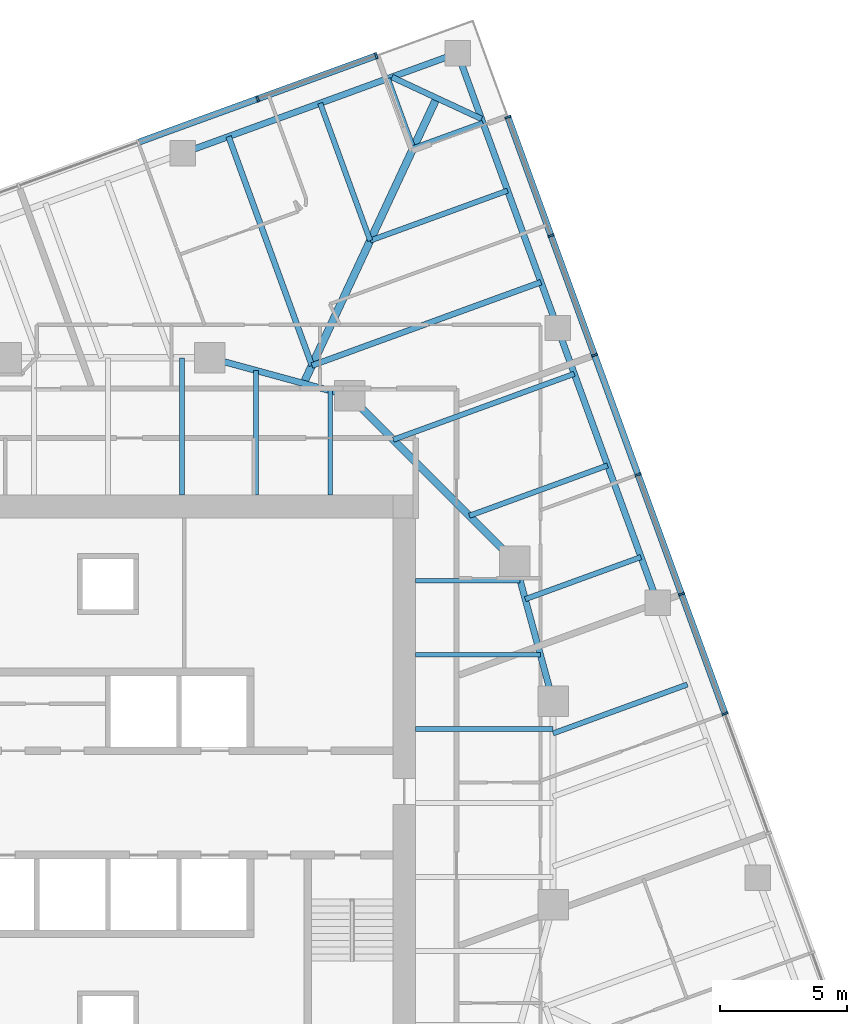
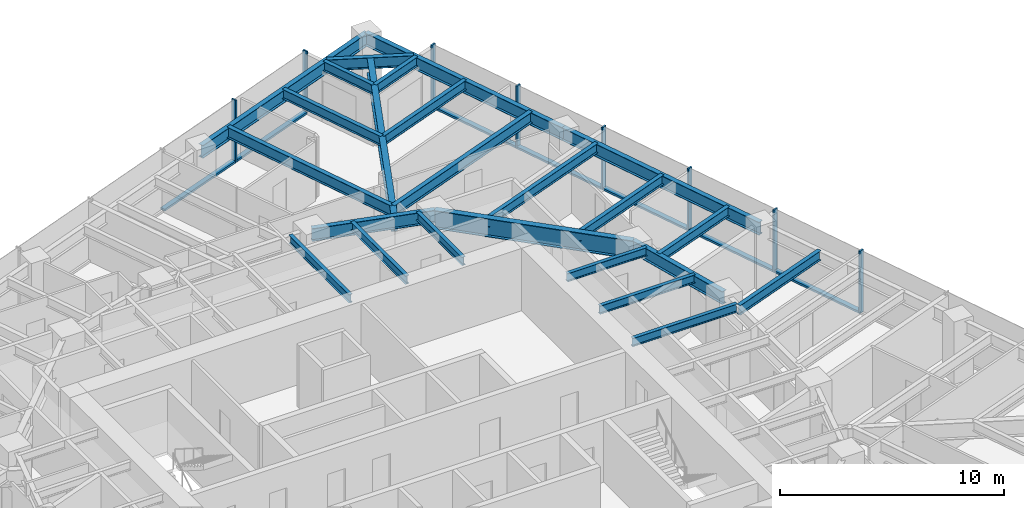
# One storey, part 5 of 13: 24 beams, 15 members, 2 elements without a shape of their own.
"""IFC4 building model written with IfcOpenShell, lengths in metres."""

from ifc_helpers import new_model, si_unit, direction, frame, origin, origin_2d, place, context, subcontext, project, spatial, rectangle, i_section, extrude, material, material_profile, profile_set, type_object, element, aggregate, save


model = new_model("IFC4")

# Units and contexts
model_context = context("Model", 3, precision=1e-05, world=origin(), true_north=direction((0.0, 1.0)))
body_context = subcontext(model_context, "Body", "Model", "MODEL_VIEW")
ifc_project = project(units=[si_unit("LENGTHUNIT", "METRE"), si_unit("AREAUNIT", "SQUARE_METRE"), si_unit("VOLUMEUNIT", "CUBIC_METRE"), si_unit("PLANEANGLEUNIT", "RADIAN"), si_unit("MASSUNIT", "GRAM", prefix="KILO")], contexts=[model_context])

# Site, building, storey
site_placement = place(None, origin())
site = spatial("IfcSite", under=ifc_project, at=site_placement, CompositionType="ELEMENT")
building_placement = place(site_placement, origin())
building = spatial("IfcBuilding", under=site, at=building_placement, Name="Torsade Residences", CompositionType="ELEMENT")
storey_placement = place(building_placement, frame((0.0, 0.0, 150.60009765625)))
storey = spatial("IfcBuildingStorey", under=building, at=storey_placement, Name="L41", CompositionType="ELEMENT", Elevation=150.60009765625)

# Beams
ifc_material_1 = material(Name="Steel grade 300", Category="steel")
ifc_material_profile_1 = material_profile(ifc_material_1, i_section(OverallWidth=0.300048828125, OverallDepth=0.89990234375, WebThickness=0.011962890625, FlangeThickness=0.02490234375, at=origin_2d()), Name="900WB175")
ifc_profile_set_1 = profile_set([ifc_material_profile_1], Name="Steel grade 300")
beam_type_1 = type_object("IfcBeamType", Name="CORNER GIRDER 900WB175", PredefinedType="BEAM", material=ifc_profile_set_1)
beam_1_placement = place(storey_placement, frame((52.924560546875, 57.717041015625, 2.7998046875), z_axis=(-0.422616712682, -0.906308509373, 0.0), x_axis=(0.906308509373, -0.422616712682, 0.0)))
element("IfcBeam", 1, at=beam_1_placement, inside=storey, type_object=beam_type_1, Name="Corner girder 09 L42", PredefinedType="BEAM", context=body_context, shape_type="SweptSolid", body=[
    extrude(i_section(OverallWidth=0.300048828125, OverallDepth=0.89990234375, WebThickness=0.011962890625, FlangeThickness=0.02490234375, at=origin_2d()), origin(), (0.0, 0.0, 1.0), 12.3837890625),
])
ifc_material_2 = material(Name="Steel grade 300", Category="steel")
ifc_material_profile_2 = material_profile(ifc_material_2, i_section(OverallWidth=0.22802734375, OverallDepth=0.60205078125, WebThickness=0.010498046875, FlangeThickness=0.014892578125, FilletRadius=0.013916015625, at=origin_2d()), Name="610UB101")
ifc_profile_set_2 = profile_set([ifc_material_profile_2], Name="Steel grade 300")
beam_type_2 = type_object("IfcBeamType", Name="CORNER TRIMMER 610UB101", PredefinedType="BEAM", material=ifc_profile_set_2)
beam_2_placement = place(storey_placement, frame((51.162353515625, 58.538818359375, 2.948974609375), z_axis=(0.906309798645, -0.422613947806, 0.0), x_axis=(0.422613947806, 0.906309798645, 0.0)))
element("IfcBeam", 2, at=beam_2_placement, inside=storey, type_object=beam_type_2, Name="Corner trimmer 09 L42", PredefinedType="BEAM", context=body_context, shape_type="SweptSolid", body=[
    extrude(i_section(OverallWidth=0.22802734375, OverallDepth=0.60205078125, WebThickness=0.010498046875, FlangeThickness=0.014892578125, FilletRadius=0.013916015625, at=origin_2d()), origin(), (0.0, 0.0, 1.0), 3.888916015625),
])
ifc_material_3 = material(Name="Steel grade 300", Category="steel")
ifc_material_profile_3 = material_profile(ifc_material_3, i_section(OverallWidth=0.25, OverallDepth=0.699951171875, WebThickness=0.010009765625, FlangeThickness=0.02001953125, at=origin_2d()), Name="700WB130")
ifc_profile_set_3 = profile_set([ifc_material_profile_3], Name="Steel grade 300")
beam_type_3 = type_object("IfcBeamType", Name="EDGE BEAM 700WB130", PredefinedType="SPANDREL", material=ifc_profile_set_3)
for number, where, z_axis, x_axis, name in (
    (3, (61.613037109375, 37.866455078125, 2.89990234375), (-0.342031119628, 0.939688625666, 0.0), (-0.939688625666, -0.342031119628, 0.0), "Edge beam 07 L42"),
    (4, (57.6796875, 48.6728515625, 2.89990234375), (-0.342005550448, 0.939697932031, 0.0), (-0.939697932031, -0.342005550448, 0.0), "Edge beam 08 L42"),
):
    element("IfcBeam", number, at=place(storey_placement, frame(where, z_axis=z_axis, x_axis=x_axis)), inside=storey, type_object=beam_type_3, Name=name, PredefinedType="SPANDREL", context=body_context, shape_type="SweptSolid", body=[
        extrude(i_section(OverallWidth=0.25, OverallDepth=0.699951171875, WebThickness=0.010009765625, FlangeThickness=0.02001953125, at=origin_2d()), origin(), (0.0, 0.0, 1.0), 11.5),
    ])
beam_3_placement = place(storey_placement, frame((53.74658203125, 59.4794921875, 2.89990234375), z_axis=(-0.93969110915, -0.342024296483, 0.0), x_axis=(0.342024296483, -0.93969110915, 0.0)))
element("IfcBeam", 5, at=beam_3_placement, inside=storey, type_object=beam_type_3, Name="Edge beam 09 L42", PredefinedType="SPANDREL", context=body_context, shape_type="SweptSolid", body=[
    extrude(i_section(OverallWidth=0.25, OverallDepth=0.699951171875, WebThickness=0.010009765625, FlangeThickness=0.02001953125, at=origin_2d()), origin(), (0.0, 0.0, 1.0), 11.500244140625),
])
ifc_material_4 = material(Name="Steel grade 300", Category="steel")
ifc_material_profile_4 = material_profile(ifc_material_4, i_section(OverallWidth=0.18994140625, OverallDepth=0.4541015625, WebThickness=0.008544921875, FlangeThickness=0.0126953125, FilletRadius=0.011474609375, at=origin_2d()), Name="460UB67.1")
ifc_profile_set_4 = profile_set([ifc_material_profile_4], Name="Steel grade 300")
beam_type_4 = type_object("IfcBeamType", Name="INNER FLOOR BEAM 460UB67.1", PredefinedType="JOIST", material=ifc_profile_set_4)
beam_4_placement = place(storey_placement, frame((42.91259765625, 42.10009765625, 3.02294921875), z_axis=(0.0, 1.0, 0.0), x_axis=(-1.0, 0.0, 0.0)))
element("IfcBeam", 6, at=beam_4_placement, inside=storey, type_object=beam_type_4, Name="Inner floor beam IN05 L42", PredefinedType="JOIST", context=body_context, shape_type="SweptSolid", body=[
    extrude(i_section(OverallWidth=0.18994140625, OverallDepth=0.4541015625, WebThickness=0.008544921875, FlangeThickness=0.0126953125, FilletRadius=0.011474609375, at=origin_2d()), origin(), (0.0, 0.0, 1.0), 5.39990234375),
])
beam_5_placement = place(storey_placement, frame((45.824951171875, 42.10009765625, 3.02294921875), z_axis=(0.0, 1.0, 0.0), x_axis=(-1.0, 0.0, 0.0)))
element("IfcBeam", 7, at=beam_5_placement, inside=storey, type_object=beam_type_4, Name="Inner floor beam IN06 L42", PredefinedType="JOIST", context=body_context, shape_type="SweptSolid", body=[
    extrude(i_section(OverallWidth=0.18994140625, OverallDepth=0.4541015625, WebThickness=0.008544921875, FlangeThickness=0.0126953125, FilletRadius=0.011474609375, at=origin_2d()), origin(), (0.0, 0.0, 1.0), 4.902099609375),
])
beam_6_placement = place(storey_placement, frame((48.737548828125, 42.10009765625, 3.02294921875), z_axis=(0.0, 1.0, 0.0), x_axis=(-1.0, 0.0, 0.0)))
element("IfcBeam", 8, at=beam_6_placement, inside=storey, type_object=beam_type_4, Name="Inner floor beam IN07 L42", PredefinedType="JOIST", context=body_context, shape_type="SweptSolid", body=[
    extrude(i_section(OverallWidth=0.18994140625, OverallDepth=0.4541015625, WebThickness=0.008544921875, FlangeThickness=0.0126953125, FilletRadius=0.011474609375, at=origin_2d()), origin(), (0.0, 0.0, 1.0), 4.10791015625),
])
beam_7_placement = place(storey_placement, frame((52.10009765625, 32.91259765625, 3.02294921875), z_axis=(1.0, 0.0, 0.0), x_axis=(0.0, 1.0, 0.0)))
element("IfcBeam", 9, at=beam_7_placement, inside=storey, type_object=beam_type_4, Name="Inner floor beam IE05 L42", PredefinedType="JOIST", context=body_context, shape_type="SweptSolid", body=[
    extrude(i_section(OverallWidth=0.18994140625, OverallDepth=0.4541015625, WebThickness=0.008544921875, FlangeThickness=0.0126953125, FilletRadius=0.011474609375, at=origin_2d()), origin(), (0.0, 0.0, 1.0), 5.39990234375),
])
beam_8_placement = place(storey_placement, frame((52.10009765625, 35.824951171875, 3.02294921875), z_axis=(1.0, 0.0, 0.0), x_axis=(0.0, 1.0, 0.0)))
element("IfcBeam", 10, at=beam_8_placement, inside=storey, type_object=beam_type_4, Name="Inner floor beam IE06 L42", PredefinedType="JOIST", context=body_context, shape_type="SweptSolid", body=[
    extrude(i_section(OverallWidth=0.18994140625, OverallDepth=0.4541015625, WebThickness=0.008544921875, FlangeThickness=0.0126953125, FilletRadius=0.011474609375, at=origin_2d()), origin(), (0.0, 0.0, 1.0), 4.902099609375),
])
beam_9_placement = place(storey_placement, frame((52.10009765625, 38.737548828125, 3.02294921875), z_axis=(1.0, 0.0, 0.0), x_axis=(0.0, 1.0, 0.0)))
element("IfcBeam", 11, at=beam_9_placement, inside=storey, type_object=beam_type_4, Name="Inner floor beam IE07 L42", PredefinedType="JOIST", context=body_context, shape_type="SweptSolid", body=[
    extrude(i_section(OverallWidth=0.18994140625, OverallDepth=0.4541015625, WebThickness=0.008544921875, FlangeThickness=0.0126953125, FilletRadius=0.011474609375, at=origin_2d()), origin(), (0.0, 0.0, 1.0), 4.10791015625),
])

# Curtain wall, members
ifc_material_5 = material(Name="Aluminium and glass", Category="aluminium")
curtain_wall_type = type_object("IfcCurtainWallType", Name="FRITTED GLASS CURTAIN WALL MID ZONE", PredefinedType="NOTDEFINED", material=ifc_material_5)
curtain_wall_1_placement = place(storey_placement, origin())
curtain_wall_1 = element("IfcCurtainWall", 12, at=curtain_wall_1_placement, inside=storey, type_object=curtain_wall_type, Name="Curtain wall L41 face 4", PredefinedType="NOTDEFINED")
ifc_material_6 = material(Name="Aluminium mullion", Category="aluminium")
ifc_material_profile_5 = material_profile(ifc_material_6, rectangle(XDim=0.25, YDim=0.080078125, at=origin_2d()), Name="MID ZONE CURTAIN WALL MULLION 250x80")
ifc_profile_set_5 = profile_set([ifc_material_profile_5], Name="Aluminium mullion")
member_type_1 = type_object("IfcMemberType", Name="MID ZONE CURTAIN WALL MULLION 250x80", PredefinedType="MULLION", material=ifc_profile_set_5)
member_1_placement = place(storey_placement, frame((64.2626953125, 33.510009765625, 0.0), z_axis=(0.0, 0.0, 1.0), x_axis=(-0.939692619132, -0.342020147869, 0.0)))
member_1 = element("IfcMember", 13, at=member_1_placement, type_object=member_type_1, Name="Mullion 4", PredefinedType="MULLION", context=body_context, shape_type="SweptSolid", body=[
    extrude(rectangle(XDim=0.25, YDim=0.080078125, at=origin_2d()), origin(), (0.0, 0.0, 1.0), 3.39990234375),
])
member_2_placement = place(storey_placement, frame((62.552734375, 38.20849609375, 0.0), z_axis=(0.0, 0.0, 1.0), x_axis=(-0.939692619132, -0.342020147869, 0.0)))
member_2 = element("IfcMember", 14, at=member_2_placement, type_object=member_type_1, Name="Mullion 5", PredefinedType="MULLION", context=body_context, shape_type="SweptSolid", body=[
    extrude(rectangle(XDim=0.25, YDim=0.080078125, at=origin_2d()), origin(), (0.0, 0.0, 1.0), 3.39990234375),
])
member_3_placement = place(storey_placement, frame((60.842529296875, 42.906982421875, 0.0), z_axis=(0.0, 0.0, 1.0), x_axis=(-0.939692619132, -0.342020147869, 0.0)))
member_3 = element("IfcMember", 15, at=member_3_placement, type_object=member_type_1, Name="Mullion 6", PredefinedType="MULLION", context=body_context, shape_type="SweptSolid", body=[
    extrude(rectangle(XDim=0.25, YDim=0.080078125, at=origin_2d()), origin(), (0.0, 0.0, 1.0), 3.39990234375),
])
member_4_placement = place(storey_placement, frame((59.13232421875, 47.60546875, 0.0), z_axis=(0.0, 0.0, 1.0), x_axis=(-0.939692619132, -0.342020147869, 0.0)))
member_4 = element("IfcMember", 16, at=member_4_placement, type_object=member_type_1, Name="Mullion 7", PredefinedType="MULLION", context=body_context, shape_type="SweptSolid", body=[
    extrude(rectangle(XDim=0.25, YDim=0.080078125, at=origin_2d()), origin(), (0.0, 0.0, 1.0), 3.39990234375),
])
member_5_placement = place(storey_placement, frame((57.42236328125, 52.303955078125, 0.0), z_axis=(0.0, 0.0, 1.0), x_axis=(-0.939692619132, -0.342020147869, 0.0)))
member_5 = element("IfcMember", 17, at=member_5_placement, type_object=member_type_1, Name="Mullion 8", PredefinedType="MULLION", context=body_context, shape_type="SweptSolid", body=[
    extrude(rectangle(XDim=0.25, YDim=0.080078125, at=origin_2d()), origin(), (0.0, 0.0, 1.0), 3.39990234375),
])
member_6_placement = place(storey_placement, frame((55.725830078125, 56.96484375, 0.0), z_axis=(0.0, 0.0, 1.0), x_axis=(-0.939692619132, -0.342020147869, 0.0)))
member_6 = element("IfcMember", 18, at=member_6_placement, type_object=member_type_1, Name="Mullion 9", PredefinedType="MULLION", context=body_context, shape_type="SweptSolid", body=[
    extrude(rectangle(XDim=0.25, YDim=0.080078125, at=origin_2d()), origin(), (0.0, 0.0, 1.0), 3.39990234375),
])

curtain_wall_2_placement = place(storey_placement, origin())
curtain_wall_2 = element("IfcCurtainWall", 19, at=curtain_wall_2_placement, inside=storey, type_object=curtain_wall_type, Name="Curtain wall L41 face 7", PredefinedType="NOTDEFINED")
member_7_placement = place(storey_placement, frame((50.5478515625, 59.37939453125, 0.0), z_axis=(0.0, 0.0, 1.0), x_axis=(0.342020147869, -0.939692619132, 0.0)))
member_7 = element("IfcMember", 20, at=member_7_placement, type_object=member_type_1, Name="Mullion 1", PredefinedType="MULLION", context=body_context, shape_type="SweptSolid", body=[
    extrude(rectangle(XDim=0.25, YDim=0.080078125, at=origin_2d()), origin(), (0.0, 0.0, 1.0), 3.39990234375),
])
member_8_placement = place(storey_placement, frame((45.886962890625, 57.682861328125, 0.0), z_axis=(0.0, 0.0, 1.0), x_axis=(0.342020147869, -0.939692619132, 0.0)))
member_8 = element("IfcMember", 21, at=member_8_placement, type_object=member_type_1, Name="Mullion 2", PredefinedType="MULLION", context=body_context, shape_type="SweptSolid", body=[
    extrude(rectangle(XDim=0.25, YDim=0.080078125, at=origin_2d()), origin(), (0.0, 0.0, 1.0), 3.39990234375),
])

# Member
ifc_material_7 = material(Name="Aluminium transom", Category="aluminium")
ifc_material_profile_6 = material_profile(ifc_material_7, rectangle(XDim=0.25, YDim=0.110107421875, at=origin_2d()), Name="MID ZONE CURTAIN WALL TRANSOM 250x110")
ifc_profile_set_6 = profile_set([ifc_material_profile_6], Name="Aluminium transom")
member_type_2 = type_object("IfcMemberType", Name="MID ZONE CURTAIN WALL TRANSOM 250x110", PredefinedType="USERDEFINED", material=ifc_profile_set_6)
member_9_placement = place(storey_placement, frame((64.2490234375, 33.547607421875, 0.054931640625), z_axis=(-0.341998044792, 0.9397006637, 0.0), x_axis=(-0.9397006637, -0.341998044792, 0.0)))
member_9 = element("IfcMember", 22, at=member_9_placement, type_object=member_type_2, Name="Transom 4.1", ObjectType="TRANSOM", PredefinedType="USERDEFINED", context=body_context, shape_type="SweptSolid", body=[
    extrude(rectangle(XDim=0.25, YDim=0.110107421875, at=origin_2d()), origin(), (0.0, 0.0, 1.0), 4.919921875),
])

member_10_placement = place(storey_placement, frame((62.5390625, 38.24609375, 0.054931640625), z_axis=(-0.342041862168, 0.93968471549, 0.0), x_axis=(-0.93968471549, -0.342041862168, 0.0)))
member_10 = element("IfcMember", 23, at=member_10_placement, type_object=member_type_2, Name="Transom 5.1", ObjectType="TRANSOM", PredefinedType="USERDEFINED", context=body_context, shape_type="SweptSolid", body=[
    extrude(rectangle(XDim=0.25, YDim=0.110107421875, at=origin_2d()), origin(), (0.0, 0.0, 1.0), 4.920166015625),
])

member_11_placement = place(storey_placement, frame((60.828857421875, 42.944580078125, 0.054931640625), z_axis=(-0.342041862168, 0.93968471549, 0.0), x_axis=(-0.93968471549, -0.342041862168, 0.0)))
member_11 = element("IfcMember", 24, at=member_11_placement, type_object=member_type_2, Name="Transom 6.1", ObjectType="TRANSOM", PredefinedType="USERDEFINED", context=body_context, shape_type="SweptSolid", body=[
    extrude(rectangle(XDim=0.25, YDim=0.110107421875, at=origin_2d()), origin(), (0.0, 0.0, 1.0), 4.920166015625),
])

member_12_placement = place(storey_placement, frame((59.11865234375, 47.64306640625, 0.054931640625), z_axis=(-0.341998044792, 0.9397006637, 0.0), x_axis=(-0.9397006637, -0.341998044792, 0.0)))
member_12 = element("IfcMember", 25, at=member_12_placement, type_object=member_type_2, Name="Transom 7.1", ObjectType="TRANSOM", PredefinedType="USERDEFINED", context=body_context, shape_type="SweptSolid", body=[
    extrude(rectangle(XDim=0.25, YDim=0.110107421875, at=origin_2d()), origin(), (0.0, 0.0, 1.0), 4.919921875),
])

member_13_placement = place(storey_placement, frame((57.40869140625, 52.341552734375, 0.054931640625), z_axis=(-0.342044311564, 0.939683823915, 0.0), x_axis=(-0.939683823915, -0.342044311564, 0.0)))
member_13 = element("IfcMember", 26, at=member_13_placement, type_object=member_type_2, Name="Transom 8.1", ObjectType="TRANSOM", PredefinedType="USERDEFINED", context=body_context, shape_type="SweptSolid", body=[
    extrude(rectangle(XDim=0.25, YDim=0.110107421875, at=origin_2d()), origin(), (0.0, 0.0, 1.0), 4.880126953125),
])

aggregate(curtain_wall_1, [member_1, member_2, member_3, member_4, member_5, member_6, member_9, member_10, member_11, member_12, member_13])

member_14_placement = place(storey_placement, frame((50.51025390625, 59.36572265625, 0.054931640625), z_axis=(-0.939683823915, -0.342044311564, 0.0), x_axis=(0.342044311564, -0.939683823915, 0.0)))
member_14 = element("IfcMember", 27, at=member_14_placement, type_object=member_type_2, Name="Transom 1.1", ObjectType="TRANSOM", PredefinedType="USERDEFINED", context=body_context, shape_type="SweptSolid", body=[
    extrude(rectangle(XDim=0.25, YDim=0.110107421875, at=origin_2d()), origin(), (0.0, 0.0, 1.0), 4.880126953125),
])

member_15_placement = place(storey_placement, frame((45.849365234375, 57.669189453125, 0.054931640625), z_axis=(-0.9397006637, -0.341998044792, 0.0), x_axis=(0.341998044792, -0.9397006637, 0.0)))
member_15 = element("IfcMember", 28, at=member_15_placement, type_object=member_type_2, Name="Transom 2.1", ObjectType="TRANSOM", PredefinedType="USERDEFINED", context=body_context, shape_type="SweptSolid", body=[
    extrude(rectangle(XDim=0.25, YDim=0.110107421875, at=origin_2d()), origin(), (0.0, 0.0, 1.0), 4.919921875),
])

aggregate(curtain_wall_2, [member_7, member_8, member_14, member_15])

# Beams
ifc_material_8 = material(Name="Steel grade 300", Category="steel")
ifc_material_profile_7 = material_profile(ifc_material_8, i_section(OverallWidth=0.300048828125, OverallDepth=1.0, WebThickness=0.01611328125, FlangeThickness=0.028076171875, at=origin_2d()), Name="1000WB215")
ifc_profile_set_7 = profile_set([ifc_material_profile_7], Name="Steel grade 300")
beam_type_5 = type_object("IfcBeamType", Name="RING CORNER GIRDER 1000WB215", PredefinedType="BEAM", material=ifc_profile_set_7)
beam_10_placement = place(storey_placement, frame((56.0, 39.5, 2.75), z_axis=(-0.707106781187, 0.707106781187, 0.0), x_axis=(-0.707106781187, -0.707106781187, 0.0)))
element("IfcBeam", 29, at=beam_10_placement, inside=storey, type_object=beam_type_5, Name="Ring girder IR03 L42", PredefinedType="BEAM", context=body_context, shape_type="SweptSolid", body=[
    extrude(i_section(OverallWidth=0.300048828125, OverallDepth=1.0, WebThickness=0.01611328125, FlangeThickness=0.028076171875, at=origin_2d()), origin(), (0.0, 0.0, 1.0), 9.1923828125),
])
ifc_material_9 = material(Name="Steel grade 300", Category="steel")
ifc_material_profile_8 = material_profile(ifc_material_9, i_section(OverallWidth=0.25, OverallDepth=0.699951171875, WebThickness=0.010009765625, FlangeThickness=0.02001953125, at=origin_2d()), Name="700WB130")
ifc_profile_set_8 = profile_set([ifc_material_profile_8], Name="Steel grade 300")
beam_type_6 = type_object("IfcBeamType", Name="RING GIRDER 700WB130", PredefinedType="BEAM", material=ifc_profile_set_8)
for number, where, z_axis, x_axis, name in (
    (30, (57.5, 34.0, 2.89990234375), (-0.263117405792, 0.964763821238, 0.0), (-0.964763821238, -0.263117405792, 0.0), "Ring girder IR02 L42"),
    (31, (49.5, 46.0, 2.89990234375), (-0.964763821238, 0.263117405792, 0.0), (-0.263117405792, -0.964763821238, 0.0), "Ring girder IR04 L42"),
):
    element("IfcBeam", number, at=place(storey_placement, frame(where, z_axis=z_axis, x_axis=x_axis)), inside=storey, type_object=beam_type_6, Name=name, PredefinedType="BEAM", context=body_context, shape_type="SweptSolid", body=[
        extrude(i_section(OverallWidth=0.25, OverallDepth=0.699951171875, WebThickness=0.010009765625, FlangeThickness=0.02001953125, at=origin_2d()), origin(), (0.0, 0.0, 1.0), 5.700927734375),
    ])
ifc_material_10 = material(Name="Steel grade 300", Category="steel")
ifc_material_profile_9 = material_profile(ifc_material_10, i_section(OverallWidth=0.208984375, OverallDepth=0.528076171875, WebThickness=0.009521484375, FlangeThickness=0.01318359375, FilletRadius=0.013916015625, at=origin_2d()), Name="530UB82.0")
ifc_profile_set_9 = profile_set([ifc_material_profile_9], Name="Steel grade 300")
beam_type_7 = type_object("IfcBeamType", Name="SECONDARY BEAM 530UB82.0", PredefinedType="JOIST", material=ifc_profile_set_9)
beam_11_placement = place(storey_placement, frame((62.781494140625, 34.65576171875, 2.98583984375), z_axis=(-0.939703343336, -0.341990681925, 0.0), x_axis=(0.341990681925, -0.939703343336, 0.0)))
element("IfcBeam", 32, at=beam_11_placement, inside=storey, type_object=beam_type_7, Name="Floor beam FE06 L42", PredefinedType="JOIST", context=body_context, shape_type="SweptSolid", body=[
    extrude(i_section(OverallWidth=0.208984375, OverallDepth=0.528076171875, WebThickness=0.009521484375, FlangeThickness=0.01318359375, FilletRadius=0.013916015625, at=origin_2d()), origin(), (0.0, 0.0, 1.0), 5.620361328125),
])
beam_12_placement = place(storey_placement, frame((60.957275390625, 39.66748046875, 2.98583984375), z_axis=(-0.939694777187, -0.342014218604, 0.0), x_axis=(0.342014218604, -0.939694777187, 0.0)))
element("IfcBeam", 33, at=beam_12_placement, inside=storey, type_object=beam_type_7, Name="Floor beam FE07 L42", PredefinedType="JOIST", context=body_context, shape_type="SweptSolid", body=[
    extrude(i_section(OverallWidth=0.208984375, OverallDepth=0.528076171875, WebThickness=0.009521484375, FlangeThickness=0.01318359375, FilletRadius=0.013916015625, at=origin_2d()), origin(), (0.0, 0.0, 1.0), 4.84326171875),
])
beam_13_placement = place(storey_placement, frame((59.646240234375, 43.269775390625, 2.98583984375), z_axis=(-0.939687428295, -0.342034409239, 0.0), x_axis=(0.342034409239, -0.939687428295, 0.0)))
element("IfcBeam", 34, at=beam_13_placement, inside=storey, type_object=beam_type_7, Name="Floor beam FE08 L42", PredefinedType="JOIST", context=body_context, shape_type="SweptSolid", body=[
    extrude(i_section(OverallWidth=0.208984375, OverallDepth=0.528076171875, WebThickness=0.009521484375, FlangeThickness=0.01318359375, FilletRadius=0.013916015625, at=origin_2d()), origin(), (0.0, 0.0, 1.0), 5.785888671875),
])
beam_14_placement = place(storey_placement, frame((58.335205078125, 46.871826171875, 2.98583984375), z_axis=(-0.939689847531, -0.342027762686, 0.0), x_axis=(0.342027762686, -0.939689847531, 0.0)))
element("IfcBeam", 35, at=beam_14_placement, inside=storey, type_object=beam_type_7, Name="Floor beam FE09 L42", PredefinedType="JOIST", context=body_context, shape_type="SweptSolid", body=[
    extrude(i_section(OverallWidth=0.208984375, OverallDepth=0.528076171875, WebThickness=0.009521484375, FlangeThickness=0.01318359375, FilletRadius=0.013916015625, at=origin_2d()), origin(), (0.0, 0.0, 1.0), 7.573486328125),
])
beam_15_placement = place(storey_placement, frame((55.713134765625, 54.076171875, 2.98583984375), z_axis=(-0.939697932031, -0.342005550448, 0.0), x_axis=(0.342005550448, -0.939697932031, 0.0)))
element("IfcBeam", 36, at=beam_15_placement, inside=storey, type_object=beam_type_7, Name="Floor beam FE11 L42", PredefinedType="JOIST", context=body_context, shape_type="SweptSolid", body=[
    extrude(i_section(OverallWidth=0.208984375, OverallDepth=0.528076171875, WebThickness=0.009521484375, FlangeThickness=0.01318359375, FilletRadius=0.013916015625, at=origin_2d()), origin(), (0.0, 0.0, 1.0), 5.75),
])
for number, where, z_axis, x_axis, name in (
    (37, (54.744140625, 56.738525390625, 2.98583984375), (-0.939700524495, -0.341998427281, 0.0), (0.341998427281, -0.939700524495, 0.0), "Floor beam FE12 L42"),
    (38, (51.005615234375, 58.48193359375, 2.98583984375), (0.341998427281, -0.939700524495, 0.0), (0.939700524495, 0.341998427281, 0.0), "Floor beam FN01 L42"),
):
    element("IfcBeam", number, at=place(storey_placement, frame(where, z_axis=z_axis, x_axis=x_axis)), inside=storey, type_object=beam_type_7, Name=name, PredefinedType="JOIST", context=body_context, shape_type="SweptSolid", body=[
        extrude(i_section(OverallWidth=0.208984375, OverallDepth=0.528076171875, WebThickness=0.009521484375, FlangeThickness=0.01318359375, FilletRadius=0.013916015625, at=origin_2d()), origin(), (0.0, 0.0, 1.0), 2.916748046875),
    ])
beam_16_placement = place(storey_placement, frame((48.34326171875, 57.5126953125, 2.98583984375), z_axis=(0.342019196443, -0.939692965423, 0.0), x_axis=(0.939692965423, 0.342019196443, 0.0)))
element("IfcBeam", 39, at=beam_16_placement, inside=storey, type_object=beam_type_7, Name="Floor beam FN02 L42", PredefinedType="JOIST", context=body_context, shape_type="SweptSolid", body=[
    extrude(i_section(OverallWidth=0.208984375, OverallDepth=0.528076171875, WebThickness=0.009521484375, FlangeThickness=0.01318359375, FilletRadius=0.013916015625, at=origin_2d()), origin(), (0.0, 0.0, 1.0), 5.749755859375),
])
ifc_material_11 = material(Name="Steel grade 300", Category="steel")
ifc_material_profile_10 = material_profile(ifc_material_11, i_section(OverallWidth=0.22900390625, OverallDepth=0.612060546875, WebThickness=0.011962890625, FlangeThickness=0.01953125, FilletRadius=0.013916015625, at=origin_2d()), Name="610UB125")
ifc_profile_set_10 = profile_set([ifc_material_profile_10], Name="Steel grade 300")
beam_type_8 = type_object("IfcBeamType", Name="SECONDARY BEAM 610UB125", PredefinedType="JOIST", material=ifc_profile_set_10)
for number, where, z_axis, x_axis, name in (
    (40, (57.024169921875, 50.47412109375, 2.94384765625), (-0.939687757725, -0.342033504181, 0.0), (0.342033504181, -0.939687757725, 0.0), "Floor beam FE10 L42"),
    (41, (44.740966796875, 56.20166015625, 2.94384765625), (0.342033504181, -0.939687757725, 0.0), (0.939687757725, 0.342033504181, 0.0), "Floor beam FN03 L42"),
):
    element("IfcBeam", number, at=place(storey_placement, frame(where, z_axis=z_axis, x_axis=x_axis)), inside=storey, type_object=beam_type_8, Name=name, PredefinedType="JOIST", context=body_context, shape_type="SweptSolid", body=[
        extrude(i_section(OverallWidth=0.22900390625, OverallDepth=0.612060546875, WebThickness=0.011962890625, FlangeThickness=0.01953125, FilletRadius=0.013916015625, at=origin_2d()), origin(), (0.0, 0.0, 1.0), 9.583251953125),
    ])

save(model, "model.ifc")
